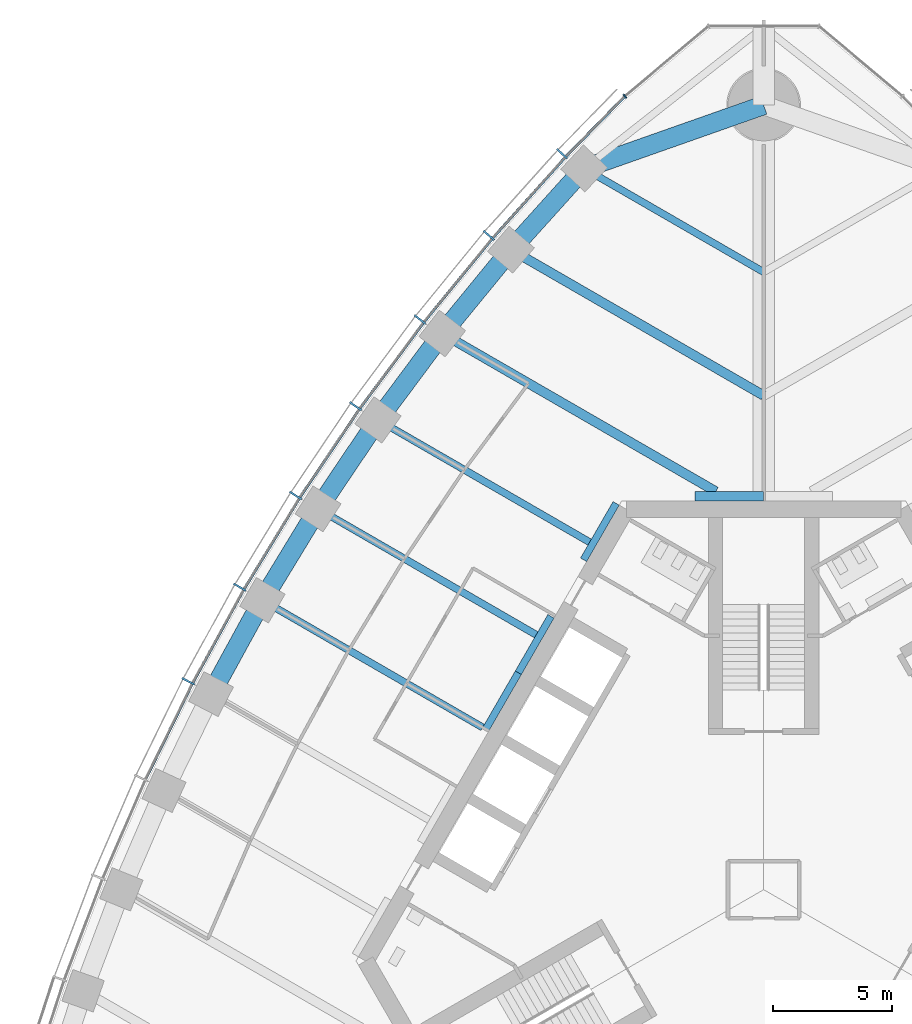
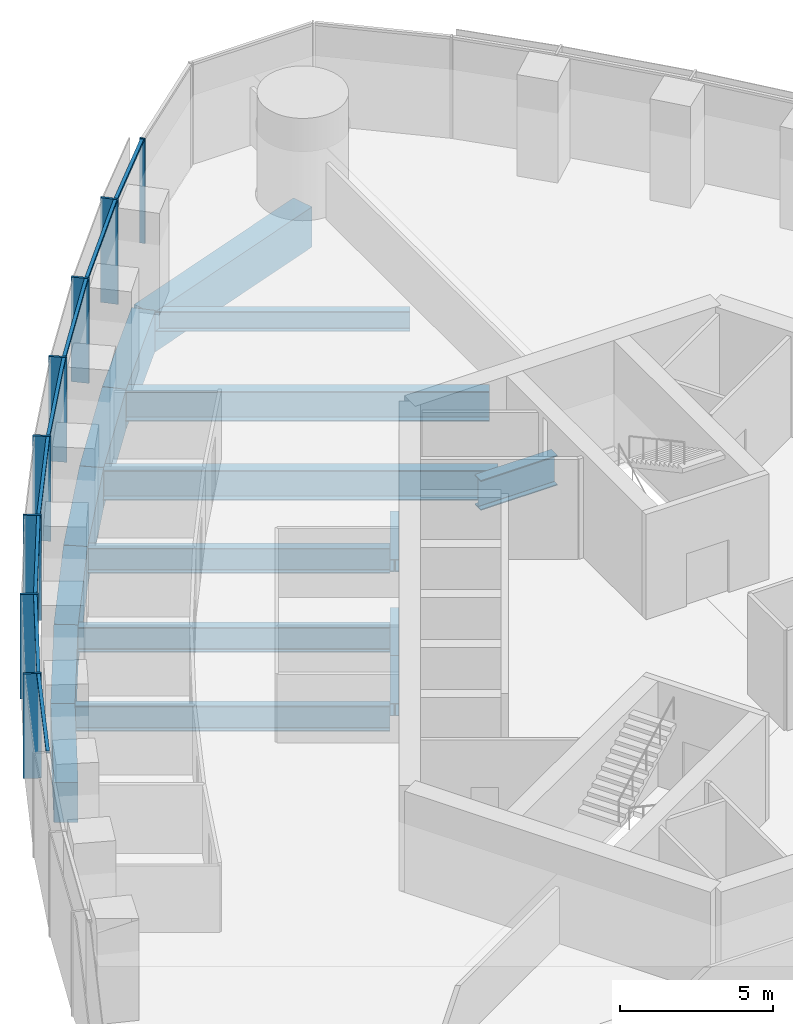
# One storey, part 5 of 19: 17 beams, 16 members, 2 elements without a shape of their own.
"""IFC4 building model written with IfcOpenShell, lengths in metres."""

from ifc_helpers import new_model, si_unit, direction, frame, origin, origin_2d, place, context, subcontext, project, spatial, rectangle, i_section, extrude, material, material_profile, profile_set, type_object, element, aggregate, save


model = new_model("IFC4")

# Units and contexts
model_context = context("Model", 3, precision=1e-05, world=origin(), true_north=direction((0.0, 1.0)))
body_context = subcontext(model_context, "Body", "Model", "MODEL_VIEW")
ifc_project = project(units=[si_unit("LENGTHUNIT", "METRE"), si_unit("AREAUNIT", "SQUARE_METRE"), si_unit("VOLUMEUNIT", "CUBIC_METRE"), si_unit("PLANEANGLEUNIT", "RADIAN"), si_unit("MASSUNIT", "GRAM", prefix="KILO")], contexts=[model_context])

# Site, building, storey
site_placement = place(None, origin())
site = spatial("IfcSite", under=ifc_project, at=site_placement, CompositionType="ELEMENT")
building_placement = place(site_placement, origin())
building = spatial("IfcBuilding", under=site, at=building_placement, Name="Trefoil Bronze Tower", CompositionType="ELEMENT")
storey_placement = place(building_placement, frame((0.0, 0.0, 244.300048828125)))
storey = spatial("IfcBuildingStorey", under=building, at=storey_placement, Name="L56", CompositionType="ELEMENT", Elevation=244.300048828125)

# Curtain wall, members
ifc_material_1 = material(Name="Tinted solar-control glass", Category="glass")
curtain_wall_type_1 = type_object("IfcCurtainWallType", Name="Bronze office curtain wall", PredefinedType="USERDEFINED", material=ifc_material_1)
curtain_wall_1_placement = place(storey_placement, origin())
curtain_wall_1 = element("IfcCurtainWall", 1, at=curtain_wall_1_placement, inside=storey, type_object=curtain_wall_type_1, Name="CW-A L56 F3", ObjectType="CURTAIN WALL", PredefinedType="USERDEFINED")
ifc_material_2 = material(Name="Bronze-finish aluminium", Category="aluminium")
ifc_material_profile_1 = material_profile(ifc_material_2, rectangle(XDim=0.60009765625, YDim=0.080078125, at=origin_2d()), Name="CW-A mullion")
ifc_profile_set_1 = profile_set([ifc_material_profile_1], Name="Bronze-finish aluminium")
member_type_1 = type_object("IfcMemberType", Name="Bronze office curtain wall mullion", PredefinedType="MULLION", material=ifc_profile_set_1)
member_1_placement = place(storey_placement, frame((-8.482177734375, 30.95654296875, 0.0), z_axis=(0.0, 0.0, 1.0), x_axis=(0.729859580661, -0.683597098091, 0.0)))
member_1 = element("IfcMember", 2, at=member_1_placement, type_object=member_type_1, Name="CW-A L56 F3 mullion 2", PredefinedType="MULLION", context=body_context, shape_type="SweptSolid", body=[
    extrude(rectangle(XDim=0.60009765625, YDim=0.080078125, at=origin_2d()), origin(), (0.0, 0.0, 1.0), 4.179931640625),
])
member_2_placement = place(storey_placement, frame((-11.564697265625, 27.525146484375, 0.0), z_axis=(0.0, 0.0, 1.0), x_axis=(0.75935470958, -0.650676897576, 0.0)))
member_2 = element("IfcMember", 3, at=member_2_placement, type_object=member_type_1, Name="CW-A L56 F3 mullion 3", PredefinedType="MULLION", context=body_context, shape_type="SweptSolid", body=[
    extrude(rectangle(XDim=0.60009765625, YDim=0.080078125, at=origin_2d()), origin(), (0.0, 0.0, 1.0), 4.179931640625),
])
member_3_placement = place(storey_placement, frame((-14.45849609375, 23.98388671875, 0.0), z_axis=(0.0, 0.0, 1.0), x_axis=(0.788821461078, -0.614622406476, 0.0)))
member_3 = element("IfcMember", 4, at=member_3_placement, type_object=member_type_1, Name="CW-A L56 F3 mullion 4", PredefinedType="MULLION", context=body_context, shape_type="SweptSolid", body=[
    extrude(rectangle(XDim=0.60009765625, YDim=0.080078125, at=origin_2d()), origin(), (0.0, 0.0, 1.0), 4.179931640625),
])
member_4_placement = place(storey_placement, frame((-17.167236328125, 20.335693359375, 0.0), z_axis=(0.0, 0.0, 1.0), x_axis=(0.81640398396, -0.577481198806, 0.0)))
member_4 = element("IfcMember", 5, at=member_4_placement, type_object=member_type_1, Name="CW-A L56 F3 mullion 5", PredefinedType="MULLION", context=body_context, shape_type="SweptSolid", body=[
    extrude(rectangle(XDim=0.60009765625, YDim=0.080078125, at=origin_2d()), origin(), (0.0, 0.0, 1.0), 4.179931640625),
])
member_5_placement = place(storey_placement, frame((-19.694091796875, 16.58251953125, 0.0), z_axis=(0.0, 0.0, 1.0), x_axis=(0.842132664593, -0.539270410114, 0.0)))
member_5 = element("IfcMember", 6, at=member_5_placement, type_object=member_type_1, Name="CW-A L56 F3 mullion 6", PredefinedType="MULLION", context=body_context, shape_type="SweptSolid", body=[
    extrude(rectangle(XDim=0.60009765625, YDim=0.080078125, at=origin_2d()), origin(), (0.0, 0.0, 1.0), 4.179931640625),
])
member_6_placement = place(storey_placement, frame((-22.041015625, 12.725341796875, 0.0), z_axis=(0.0, 0.0, 1.0), x_axis=(0.866025403784, -0.5, 0.0)))
member_6 = element("IfcMember", 7, at=member_6_placement, type_object=member_type_1, Name="CW-A L56 F3 mullion 7", PredefinedType="MULLION", context=body_context, shape_type="SweptSolid", body=[
    extrude(rectangle(XDim=0.60009765625, YDim=0.080078125, at=origin_2d()), origin(), (0.0, 0.0, 1.0), 4.179931640625),
])
member_7_placement = place(storey_placement, frame((-24.2080078125, 8.764404296875, 0.0), z_axis=(0.0, 0.0, 1.0), x_axis=(0.888088206965, -0.459673075837, 0.0)))
member_7 = element("IfcMember", 8, at=member_7_placement, type_object=member_type_1, Name="CW-A L56 F3 mullion 8", PredefinedType="MULLION", context=body_context, shape_type="SweptSolid", body=[
    extrude(rectangle(XDim=0.60009765625, YDim=0.080078125, at=origin_2d()), origin(), (0.0, 0.0, 1.0), 4.179931640625),
])
ifc_material_3 = material(Name="Bronze-finish aluminium", Category="aluminium")
ifc_material_profile_2 = material_profile(ifc_material_3, rectangle(XDim=0.1201171875, YDim=0.10009765625, at=origin_2d()), Name="CW-A transom")
ifc_profile_set_2 = profile_set([ifc_material_profile_2], Name="Bronze-finish aluminium")
member_type_2 = type_object("IfcMemberType", Name="Bronze office curtain wall transom", PredefinedType="USERDEFINED", material=ifc_profile_set_2)
member_8_placement = place(storey_placement, frame((-5.873046875, 33.342529296875, 4.1298828125), z_axis=(-0.698646935368, -0.715466602785, 0.0), x_axis=(0.715466602785, -0.698646935368, 0.0)))
member_8 = element("IfcMember", 9, at=member_8_placement, type_object=member_type_2, Name="CW-A L56 F3 transom 1", ObjectType="TRANSOM", PredefinedType="USERDEFINED", context=body_context, shape_type="SweptSolid", body=[
    extrude(rectangle(XDim=0.1201171875, YDim=0.10009765625, at=origin_2d()), origin(), (0.0, 0.0, 1.0), 3.483642578125),
])
member_9_placement = place(storey_placement, frame((-8.364501953125, 30.78857421875, 4.1298828125), z_axis=(-0.66825109551, -0.743935799213, 0.0), x_axis=(0.743935799213, -0.66825109551, 0.0)))
member_9 = element("IfcMember", 10, at=member_9_placement, type_object=member_type_2, Name="CW-A L56 F3 transom 2", ObjectType="TRANSOM", PredefinedType="USERDEFINED", context=body_context, shape_type="SweptSolid", body=[
    extrude(rectangle(XDim=0.1201171875, YDim=0.10009765625, at=origin_2d()), origin(), (0.0, 0.0, 1.0), 4.519287109375),
])
member_10_placement = place(storey_placement, frame((-11.439453125, 27.3623046875, 4.1298828125), z_axis=(-0.632756871921, -0.774350528531, 0.0), x_axis=(0.774350528531, -0.632756871921, 0.0)))
member_10 = element("IfcMember", 11, at=member_10_placement, type_object=member_type_2, Name="CW-A L56 F3 transom 3", ObjectType="TRANSOM", PredefinedType="USERDEFINED", context=body_context, shape_type="SweptSolid", body=[
    extrude(rectangle(XDim=0.1201171875, YDim=0.10009765625, at=origin_2d()), origin(), (0.0, 0.0, 1.0), 4.4794921875),
])
member_11_placement = place(storey_placement, frame((-14.325927734375, 23.826904296875, 4.1298828125), z_axis=(-0.59614822717, -0.802874393191, 0.0), x_axis=(0.802874393191, -0.59614822717, 0.0)))
member_11 = element("IfcMember", 12, at=member_11_placement, type_object=member_type_2, Name="CW-A L56 F3 transom 4", ObjectType="TRANSOM", PredefinedType="USERDEFINED", context=body_context, shape_type="SweptSolid", body=[
    extrude(rectangle(XDim=0.1201171875, YDim=0.10009765625, at=origin_2d()), origin(), (0.0, 0.0, 1.0), 4.449951171875),
])
member_12_placement = place(storey_placement, frame((-17.027587890625, 20.18505859375, 4.1298828125), z_axis=(-0.558509087547, -0.829498402125, 0.0), x_axis=(0.829498402125, -0.558509087547, 0.0)))
member_12 = element("IfcMember", 13, at=member_12_placement, type_object=member_type_2, Name="CW-A L56 F3 transom 5", ObjectType="TRANSOM", PredefinedType="USERDEFINED", context=body_context, shape_type="SweptSolid", body=[
    extrude(rectangle(XDim=0.1201171875, YDim=0.10009765625, at=origin_2d()), origin(), (0.0, 0.0, 1.0), 4.4306640625),
])
member_13_placement = place(storey_placement, frame((-19.5478515625, 16.4384765625, 4.1298828125), z_axis=(-0.519740214649, -0.854324358354, 0.0), x_axis=(0.854324358354, -0.519740214649, 0.0)))
member_13 = element("IfcMember", 14, at=member_13_placement, type_object=member_type_2, Name="CW-A L56 F3 transom 6", ObjectType="TRANSOM", PredefinedType="USERDEFINED", context=body_context, shape_type="SweptSolid", body=[
    extrude(rectangle(XDim=0.1201171875, YDim=0.10009765625, at=origin_2d()), origin(), (0.0, 0.0, 1.0), 4.421142578125),
])
member_14_placement = place(storey_placement, frame((-21.887939453125, 12.588134765625, 4.1298828125), z_axis=(-0.479973729071, -0.877282861683, 0.0), x_axis=(0.877282861683, -0.479973729071, 0.0)))
member_14 = element("IfcMember", 15, at=member_14_placement, type_object=member_type_2, Name="CW-A L56 F3 transom 7", ObjectType="TRANSOM", PredefinedType="USERDEFINED", context=body_context, shape_type="SweptSolid", body=[
    extrude(rectangle(XDim=0.1201171875, YDim=0.10009765625, at=origin_2d()), origin(), (0.0, 0.0, 1.0), 4.421142578125),
])
member_15_placement = place(storey_placement, frame((-24.048828125, 8.634521484375, 4.1298828125), z_axis=(-0.439150835991, -0.898413347657, 0.0), x_axis=(0.898413347657, -0.439150835991, 0.0)))
member_15 = element("IfcMember", 16, at=member_15_placement, type_object=member_type_2, Name="CW-A L56 F3 transom 8", ObjectType="TRANSOM", PredefinedType="USERDEFINED", context=body_context, shape_type="SweptSolid", body=[
    extrude(rectangle(XDim=0.1201171875, YDim=0.10009765625, at=origin_2d()), origin(), (0.0, 0.0, 1.0), 4.430908203125),
])
aggregate(curtain_wall_1, [member_1, member_2, member_3, member_4, member_5, member_6, member_7, member_8, member_9, member_10, member_11, member_12, member_13, member_14, member_15])

# Curtain wall, member
ifc_material_4 = material(Name="Tinted solar-control glass", Category="glass")
curtain_wall_type_2 = type_object("IfcCurtainWallType", Name="Bronze rounded corner curtain wall", PredefinedType="USERDEFINED", material=ifc_material_4)
curtain_wall_2_placement = place(storey_placement, origin())
curtain_wall_2 = element("IfcCurtainWall", 17, at=curtain_wall_2_placement, inside=storey, type_object=curtain_wall_type_2, Name="CW-B L56 K2", ObjectType="CURTAIN WALL", PredefinedType="USERDEFINED")
ifc_material_5 = material(Name="Bronze-finish aluminium", Category="aluminium")
ifc_material_profile_3 = material_profile(ifc_material_5, rectangle(XDim=0.199951171875, YDim=0.06005859375, at=origin_2d()), Name="CW-B mullion")
ifc_profile_set_3 = profile_set([ifc_material_profile_3], Name="Bronze-finish aluminium")
member_type_3 = type_object("IfcMemberType", Name="Bronze rounded corner curtain wall mullion", PredefinedType="MULLION", material=ifc_profile_set_3)
member_16_placement = place(storey_placement, frame((-5.837890625, 33.3779296875, 0.0), z_axis=(0.0, 0.0, 1.0), x_axis=(0.642787609687, -0.766044443119, 0.0)))
member_16 = element("IfcMember", 18, at=member_16_placement, type_object=member_type_3, Name="CW-B L56 K2 mullion 4", PredefinedType="MULLION", context=body_context, shape_type="SweptSolid", body=[
    extrude(rectangle(XDim=0.199951171875, YDim=0.06005859375, at=origin_2d()), origin(), (0.0, 0.0, 1.0), 4.179931640625),
])
aggregate(curtain_wall_2, [member_16])

# Beams
ifc_material_6 = material(Name="Steel C355", Category="steel")
ifc_material_profile_4 = material_profile(ifc_material_6, i_section(OverallWidth=0.300048828125, OverallDepth=0.5, WebThickness=0.014404296875, FlangeThickness=0.028076171875, FilletRadius=0.027099609375, at=origin_2d()), Name="HEB 500")
ifc_profile_set_4 = profile_set([ifc_material_profile_4], Name="Steel C355")
beam_type_1 = type_object("IfcBeamType", Name="Core seat beam HEB 500", PredefinedType="BEAM", material=ifc_profile_set_4)
for number, where, z_axis, x_axis, name in (
    (19, (-6.20654296875, 16.25, -0.449951171875), (-0.499969057507, -0.866043267704, 0.0), (0.866043267704, -0.499969057507, 0.0), "Core seat beam F3/-2 L56"),
    (20, (-8.948974609375, 11.5, -0.449951171875), (-0.499969057507, -0.866043267704, 0.0), (0.866043267704, -0.499969057507, 0.0), "Core seat beam F3/-1 L56"),
    (21, (-10.320068359375, 9.125, -0.449951171875), (-0.500035825175, -0.866004719122, 0.0), (0.866004719122, -0.500035825175, 0.0), "Core seat beam F3/+0 L56"),
):
    element("IfcBeam", number, at=place(storey_placement, frame(where, z_axis=z_axis, x_axis=x_axis)), inside=storey, type_object=beam_type_1, Name=name, PredefinedType="BEAM", context=body_context, shape_type="SweptSolid", body=[
        extrude(i_section(OverallWidth=0.300048828125, OverallDepth=0.5, WebThickness=0.014404296875, FlangeThickness=0.028076171875, FilletRadius=0.027099609375, at=origin_2d()), origin(), (0.0, 0.0, 1.0), 2.742431640625),
    ])
ifc_material_7 = material(Name="Steel C355", Category="steel")
ifc_material_profile_5 = material_profile(ifc_material_7, i_section(OverallWidth=0.39990234375, OverallDepth=1.199951171875, WebThickness=0.02001953125, FlangeThickness=0.0400390625, FilletRadius=0.010009765625, at=origin_2d()), Name="WPG 1200")
ifc_profile_set_5 = profile_set([ifc_material_profile_5], Name="Steel C355")
beam_type_2 = type_object("IfcBeamType", Name="Core seat beam WPG 1200", PredefinedType="BEAM", material=ifc_profile_set_5)
beam_1_placement = place(storey_placement, frame((0.0, 16.550048828125, -0.800048828125), z_axis=(-1.0, 0.0, 0.0), x_axis=(0.0, -1.0, 0.0)))
element("IfcBeam", 22, at=beam_1_placement, inside=storey, type_object=beam_type_2, Name="Core seat beam F3/-3 L56", PredefinedType="BEAM", context=body_context, shape_type="SweptSolid", body=[
    extrude(i_section(OverallWidth=0.39990234375, OverallDepth=1.199951171875, WebThickness=0.02001953125, FlangeThickness=0.0400390625, FilletRadius=0.010009765625, at=origin_2d()), origin(), (0.0, 0.0, 1.0), 2.88671875),
])
ifc_material_8 = material(Name="Concrete B80", Category="concrete")
ifc_material_profile_6 = material_profile(ifc_material_8, rectangle(XDim=0.800048828125, YDim=1.60009765625, at=origin_2d()), Name="RC 800x1600")
ifc_profile_set_6 = profile_set([ifc_material_profile_6], Name="Concrete B80")
beam_type_3 = type_object("IfcBeamType", Name="End spandrel beam RC 800x1600", PredefinedType="SPANDREL", material=ifc_profile_set_6)
beam_2_placement = place(storey_placement, frame((0.0, 33.0, -1.0), z_axis=(-0.943234397359, -0.332127794137, 0.0), x_axis=(0.332127794137, -0.943234397359, 0.0)))
element("IfcBeam", 23, at=beam_2_placement, inside=storey, type_object=beam_type_3, Name="Spandrel F3.1 L56", PredefinedType="SPANDREL", context=body_context, shape_type="SweptSolid", body=[
    extrude(rectangle(XDim=0.800048828125, YDim=1.60009765625, at=origin_2d()), origin(), (0.0, 0.0, 1.0), 8.006591796875),
])
ifc_material_9 = material(Name="Steel C355", Category="steel")
ifc_material_profile_7 = material_profile(ifc_material_9, i_section(OverallWidth=0.300048828125, OverallDepth=1.0, WebThickness=0.01904296875, FlangeThickness=0.035888671875, FilletRadius=0.030029296875, at=origin_2d()), Name="HEB 1000")
ifc_profile_set_7 = profile_set([ifc_material_profile_7], Name="Steel C355")
beam_type_4 = type_object("IfcBeamType", Name="Floor beam HEB 1000", PredefinedType="BEAM", material=ifc_profile_set_7)
beam_3_placement = place(storey_placement, frame((-16.2265625, 19.7607421875, -0.699951171875), z_axis=(0.866019527493, -0.500010177898, 0.0), x_axis=(0.500010177898, 0.866019527493, 0.0)))
element("IfcBeam", 24, at=beam_3_placement, inside=storey, type_object=beam_type_4, Name="Floor beam F3/-2 L56", PredefinedType="BEAM", context=body_context, shape_type="SweptSolid", body=[
    extrude(i_section(OverallWidth=0.300048828125, OverallDepth=1.0, WebThickness=0.01904296875, FlangeThickness=0.035888671875, FilletRadius=0.030029296875, at=origin_2d()), origin(), (0.0, 0.0, 1.0), 10.282958984375),
])
ifc_material_10 = material(Name="Steel C355", Category="steel")
ifc_material_profile_8 = material_profile(ifc_material_10, i_section(OverallWidth=0.300048828125, OverallDepth=0.800048828125, WebThickness=0.017578125, FlangeThickness=0.032958984375, FilletRadius=0.030029296875, at=origin_2d()), Name="HEB 800")
ifc_profile_set_8 = profile_set([ifc_material_profile_8], Name="Steel C355")
beam_type_5 = type_object("IfcBeamType", Name="Floor beam HEB 800", PredefinedType="BEAM", material=ifc_profile_set_8)
beam_4_placement = place(storey_placement, frame((-7.552001953125, 30.3408203125, -0.60009765625), z_axis=(0.866027535932, -0.499996306993, 0.0), x_axis=(0.499996306993, 0.866027535932, 0.0)))
element("IfcBeam", 25, at=beam_4_placement, inside=storey, type_object=beam_type_5, Name="Floor beam F3/-5 L56", PredefinedType="BEAM", context=body_context, shape_type="SweptSolid", body=[
    extrude(i_section(OverallWidth=0.300048828125, OverallDepth=0.800048828125, WebThickness=0.017578125, FlangeThickness=0.032958984375, FilletRadius=0.030029296875, at=origin_2d()), origin(), (0.0, 0.0, 1.0), 8.72021484375),
])
ifc_material_11 = material(Name="Steel C355", Category="steel")
ifc_material_profile_9 = material_profile(ifc_material_11, i_section(OverallWidth=0.302001953125, OverallDepth=1.008056640625, WebThickness=0.02099609375, FlangeThickness=0.0400390625, FilletRadius=0.030029296875, at=origin_2d()), Name="HEM 1000")
ifc_profile_set_9 = profile_set([ifc_material_profile_9], Name="Steel C355")
beam_type_6 = type_object("IfcBeamType", Name="Floor beam HEM 1000", PredefinedType="BEAM", material=ifc_profile_set_9)
beam_5_placement = place(storey_placement, frame((-18.748046875, 16.020263671875, -0.7041015625), z_axis=(0.86602981261, -0.499992363612, 0.0), x_axis=(0.499992363612, 0.86602981261, 0.0)))
element("IfcBeam", 26, at=beam_5_placement, inside=storey, type_object=beam_type_6, Name="Floor beam F3/-1 L56", PredefinedType="BEAM", context=body_context, shape_type="SweptSolid", body=[
    extrude(i_section(OverallWidth=0.302001953125, OverallDepth=1.008056640625, WebThickness=0.02099609375, FlangeThickness=0.0400390625, FilletRadius=0.030029296875, at=origin_2d()), origin(), (0.0, 0.0, 1.0), 10.596435546875),
])
beam_6_placement = place(storey_placement, frame((-21.08837890625, 12.17529296875, -0.7041015625), z_axis=(0.86602601154, -0.499998947334, 0.0), x_axis=(0.499998947334, 0.86602601154, 0.0)))
element("IfcBeam", 27, at=beam_6_placement, inside=storey, type_object=beam_type_6, Name="Floor beam F3/+0 L56", PredefinedType="BEAM", context=body_context, shape_type="SweptSolid", body=[
    extrude(i_section(OverallWidth=0.302001953125, OverallDepth=1.008056640625, WebThickness=0.02099609375, FlangeThickness=0.0400390625, FilletRadius=0.030029296875, at=origin_2d()), origin(), (0.0, 0.0, 1.0), 10.70068359375),
])
ifc_material_12 = material(Name="Steel C355", Category="steel")
ifc_material_profile_10 = material_profile(ifc_material_12, i_section(OverallWidth=0.39990234375, OverallDepth=1.199951171875, WebThickness=0.02001953125, FlangeThickness=0.0400390625, FilletRadius=0.010009765625, at=origin_2d()), Name="WPG 1200")
ifc_profile_set_10 = profile_set([ifc_material_profile_10], Name="Steel C355")
beam_type_7 = type_object("IfcBeamType", Name="Floor beam WPG 1200", PredefinedType="BEAM", material=ifc_profile_set_10)
beam_7_placement = place(storey_placement, frame((-10.632080078125, 26.923095703125, -0.800048828125), z_axis=(0.866025635187, -0.499999599199, 0.0), x_axis=(0.499999599199, 0.866025635187, 0.0)))
element("IfcBeam", 28, at=beam_7_placement, inside=storey, type_object=beam_type_7, Name="Floor beam F3/-4 L56", PredefinedType="BEAM", context=body_context, shape_type="SweptSolid", body=[
    extrude(i_section(OverallWidth=0.39990234375, OverallDepth=1.199951171875, WebThickness=0.02001953125, FlangeThickness=0.0400390625, FilletRadius=0.010009765625, at=origin_2d()), origin(), (0.0, 0.0, 1.0), 12.27685546875),
])
beam_8_placement = place(storey_placement, frame((-13.522216796875, 23.3955078125, -0.800048828125), z_axis=(0.866023461342, -0.500003364394, 0.0), x_axis=(0.500003364394, 0.866023461342, 0.0)))
element("IfcBeam", 29, at=beam_8_placement, inside=storey, type_object=beam_type_7, Name="Floor beam F3/-3 L56", PredefinedType="BEAM", context=body_context, shape_type="SweptSolid", body=[
    extrude(i_section(OverallWidth=0.39990234375, OverallDepth=1.199951171875, WebThickness=0.02001953125, FlangeThickness=0.0400390625, FilletRadius=0.010009765625, at=origin_2d()), origin(), (0.0, 0.0, 1.0), 13.291015625),
])
ifc_material_13 = material(Name="Concrete B80", Category="concrete")
ifc_material_profile_11 = material_profile(ifc_material_13, rectangle(XDim=0.800048828125, YDim=1.60009765625, at=origin_2d()), Name="RC 800x1600")
ifc_profile_set_11 = profile_set([ifc_material_profile_11], Name="Concrete B80")
beam_type_8 = type_object("IfcBeamType", Name="Spandrel beam RC 800x1600", PredefinedType="SPANDREL", material=ifc_profile_set_11)
beam_9_placement = place(storey_placement, frame((-7.552001953125, 30.3408203125, -1.0), z_axis=(-0.669460045872, -0.742848064534, 0.0), x_axis=(0.742848064534, -0.669460045872, 0.0)))
element("IfcBeam", 30, at=beam_9_placement, inside=storey, type_object=beam_type_8, Name="Spandrel F3.2 L56", PredefinedType="SPANDREL", context=body_context, shape_type="SweptSolid", body=[
    extrude(rectangle(XDim=0.800048828125, YDim=1.60009765625, at=origin_2d()), origin(), (0.0, 0.0, 1.0), 4.600830078125),
])
beam_10_placement = place(storey_placement, frame((-10.632080078125, 26.923095703125, -1.0), z_axis=(-0.633753657863, -0.773534938542, 0.0), x_axis=(0.773534938542, -0.633753657863, 0.0)))
element("IfcBeam", 31, at=beam_10_placement, inside=storey, type_object=beam_type_8, Name="Spandrel F3.3 L56", PredefinedType="SPANDREL", context=body_context, shape_type="SweptSolid", body=[
    extrude(rectangle(XDim=0.800048828125, YDim=1.60009765625, at=origin_2d()), origin(), (0.0, 0.0, 1.0), 4.560302734375),
])
beam_11_placement = place(storey_placement, frame((-13.522216796875, 23.3955078125, -1.0), z_axis=(-0.596926078257, -0.802296240236, 0.0), x_axis=(0.802296240236, -0.596926078257, 0.0)))
element("IfcBeam", 32, at=beam_11_placement, inside=storey, type_object=beam_type_8, Name="Spandrel F3.4 L56", PredefinedType="SPANDREL", context=body_context, shape_type="SweptSolid", body=[
    extrude(rectangle(XDim=0.800048828125, YDim=1.60009765625, at=origin_2d()), origin(), (0.0, 0.0, 1.0), 4.530517578125),
])
beam_12_placement = place(storey_placement, frame((-16.2265625, 19.7607421875, -1.0), z_axis=(-0.558964302753, -0.829191719838, 0.0), x_axis=(0.829191719838, -0.558964302753, 0.0)))
element("IfcBeam", 33, at=beam_12_placement, inside=storey, type_object=beam_type_8, Name="Spandrel F3.5 L56", PredefinedType="SPANDREL", context=body_context, shape_type="SweptSolid", body=[
    extrude(rectangle(XDim=0.800048828125, YDim=1.60009765625, at=origin_2d()), origin(), (0.0, 0.0, 1.0), 4.510986328125),
])
for number, where, z_axis, x_axis, name in (
    (34, (-18.748046875, 16.020263671875, -1.0), (-0.519933181394, -0.854206934464, 0.0), (0.854206934464, -0.519933181394, 0.0), "Spandrel F3.6 L56"),
    (35, (-21.08837890625, 12.17529296875, -1.0), (-0.479801903802, -0.87737684783, 0.0), (0.87737684783, -0.479801903802, 0.0), "Spandrel F3.7 L56"),
):
    element("IfcBeam", number, at=place(storey_placement, frame(where, z_axis=z_axis, x_axis=x_axis)), inside=storey, type_object=beam_type_8, Name=name, PredefinedType="SPANDREL", context=body_context, shape_type="SweptSolid", body=[
        extrude(rectangle(XDim=0.800048828125, YDim=1.60009765625, at=origin_2d()), origin(), (0.0, 0.0, 1.0), 4.501220703125),
    ])

save(model, "model.ifc")
